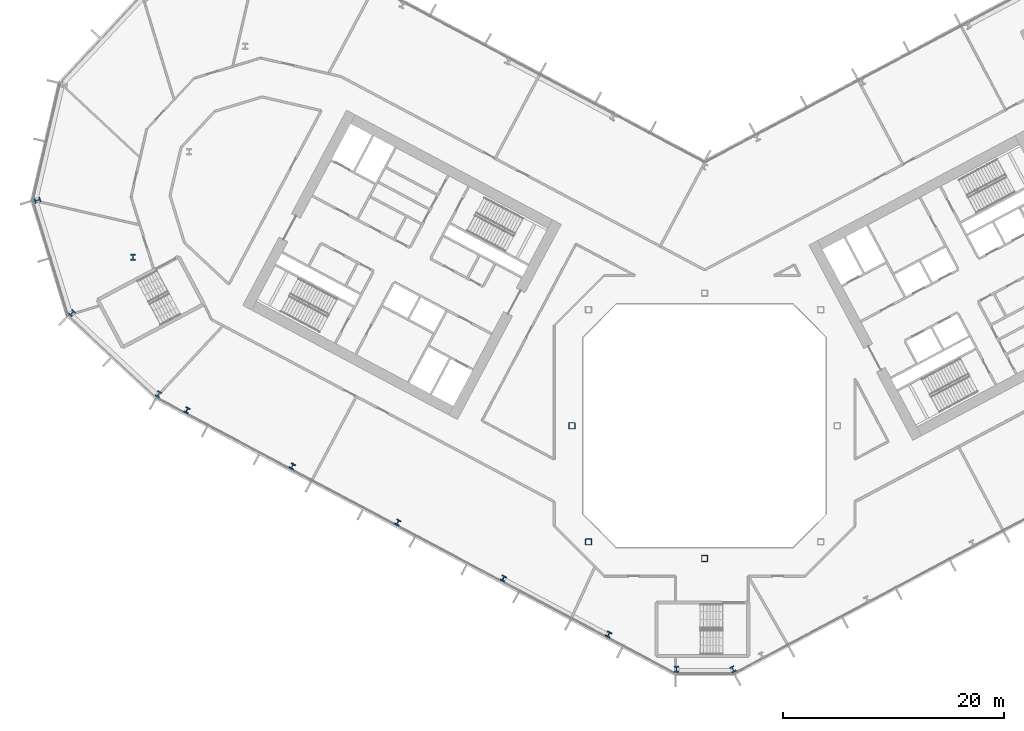
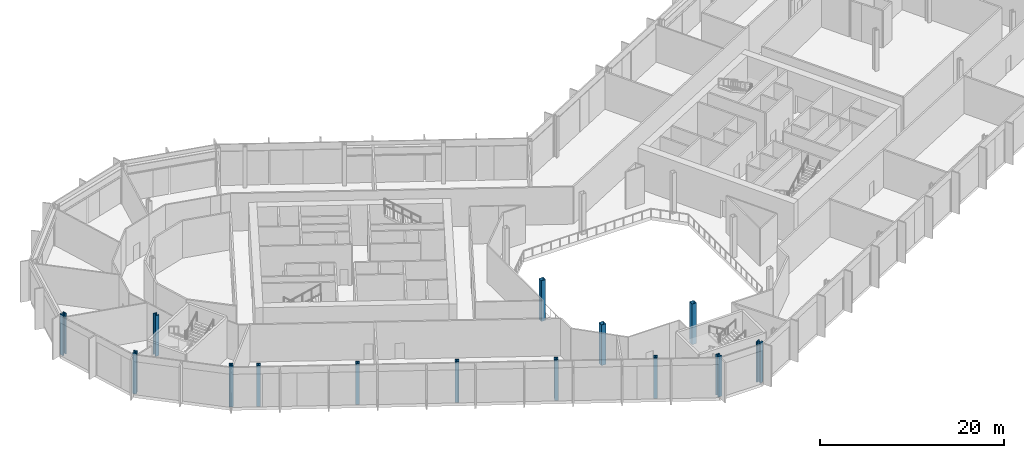
# One storey, part 1 of 30: 14 columns.
"""IFC4 building model written with IfcOpenShell, lengths in metres."""

from ifc_helpers import new_model, si_unit, direction, frame, origin, origin_2d, place, context, subcontext, project, spatial, hollow_rectangle, i_section, extrude, material, material_profile, profile_set, type_object, element, save


model = new_model("IFC4")

# Units and contexts
model_context = context("Model", 3, precision=1e-05, world=origin(), true_north=direction((0.0, 1.0)))
body_context = subcontext(model_context, "Body", "Model", "MODEL_VIEW")
ifc_project = project(units=[si_unit("LENGTHUNIT", "METRE"), si_unit("AREAUNIT", "SQUARE_METRE"), si_unit("VOLUMEUNIT", "CUBIC_METRE"), si_unit("PLANEANGLEUNIT", "RADIAN"), si_unit("MASSUNIT", "GRAM", prefix="KILO")], contexts=[model_context])

# Site, building, storey
site_placement = place(None, origin())
site = spatial("IfcSite", under=ifc_project, at=site_placement, CompositionType="ELEMENT")
building_placement = place(site_placement, origin())
building = spatial("IfcBuilding", under=site, at=building_placement, Name="Cormorant Relay Tower", CompositionType="ELEMENT")
storey_placement = place(building_placement, frame((0.0, 0.0, 44.60009765625)))
storey = spatial("IfcBuildingStorey", under=building, at=storey_placement, Name="L08", CompositionType="ELEMENT", Elevation=44.60009765625)

# Columns
ifc_material_1 = material(Name="Steel ASTM A1085 Grade A (Fy 345 MPa)", Category="steel")
ifc_material_profile_1 = material_profile(ifc_material_1, hollow_rectangle(XDim=0.558837890625, YDim=0.558837890625, WallThickness=0.023681640625, InnerFilletRadius=0.01171875, OuterFilletRadius=0.035400390625, at=origin_2d()), Name="HSS559x559x24")
ifc_profile_set_1 = profile_set([ifc_material_profile_1], Name="Steel ASTM A1085 Grade A (Fy 345 MPa)")
column_type_1 = type_object("IfcColumnType", Name="Column HSS559x559x24", PredefinedType="COLUMN", material=ifc_profile_set_1)
for number, where, z_axis, x_axis, name in (
    (1, (0.0, -12.0, 0.0), (0.0, 0.0, 1.0), (1.0, 0.0, 0.0), "Column L08-007"),
    (2, (-10.5, -10.5, 0.0), (0.0, 0.0, 1.0), (1.0, 0.0, 0.0), "Column L08-009"),
    (3, (-12.0, 0.0, 0.0), (0.0, 0.0, 1.0), (1.0, 0.0, 0.0), "Column L08-015"),
):
    element("IfcColumn", number, at=place(storey_placement, frame(where, z_axis=z_axis, x_axis=x_axis)), inside=storey, type_object=column_type_1, Name=name, PredefinedType="COLUMN", context=body_context, shape_type="SweptSolid", body=[
        extrude(hollow_rectangle(XDim=0.558837890625, YDim=0.558837890625, WallThickness=0.023681640625, InnerFilletRadius=0.01171875, OuterFilletRadius=0.035400390625, at=origin_2d()), origin(), (0.0, 0.0, 1.0), 5.39990234375),
    ])
ifc_material_2 = material(Name="Steel ASTM A992 (Fy 345 MPa)", Category="steel")
ifc_material_profile_2 = material_profile(ifc_material_2, i_section(OverallWidth=0.45458984375, OverallDepth=0.569091796875, WebThickness=0.077880859375, FlangeThickness=0.124755859375, FilletRadius=0.015380859375, at=origin_2d()), Name="W360x1086")
ifc_profile_set_2 = profile_set([ifc_material_profile_2], Name="Steel ASTM A992 (Fy 345 MPa)")
column_type_2 = type_object("IfcColumnType", Name="Column W360x1086", PredefinedType="COLUMN", material=ifc_profile_set_2)
for number, where, z_axis, x_axis, name in (
    (4, (-2.55908203125, -22.01708984375, 0.0), (0.0, 0.0, 1.0), (1.0, 0.0, 0.0), "Column L08-001"),
    (5, (2.55908203125, -22.01708984375, 0.0), (0.0, 0.0, 1.0), (0.882947592859, 0.469471562786, 0.0), "Column L08-002"),
    (6, (-49.39404296875, 2.861083984375, 0.0), (0.0, 0.0, 1.0), (0.882947592859, -0.469471562786, 0.0), "Column L08-018"),
    (7, (-57.218994140625, 10.198974609375, 0.0), (0.0, 0.0, 1.0), (0.731353701619, -0.681998360062, 0.0), "Column L08-021"),
    (8, (-51.68994140625, 15.251953125, 0.0), (0.0, 0.0, 1.0), (1.0, 0.0, 0.0), "Column L08-027"),
    (9, (-60.340087890625, 20.406982421875, 0.0), (0.0, 0.0, 1.0), (0.292371704723, -0.956304755963, 0.0), "Column L08-030"),
):
    element("IfcColumn", number, at=place(storey_placement, frame(where, z_axis=z_axis, x_axis=x_axis)), inside=storey, type_object=column_type_2, Name=name, PredefinedType="COLUMN", context=body_context, shape_type="SweptSolid", body=[
        extrude(i_section(OverallWidth=0.45458984375, OverallDepth=0.569091796875, WebThickness=0.077880859375, FlangeThickness=0.124755859375, FilletRadius=0.015380859375, at=origin_2d()), origin(), (0.0, 0.0, 1.0), 5.39990234375),
    ])
ifc_material_3 = material(Name="Steel ASTM A992 (Fy 345 MPa)", Category="steel")
ifc_material_profile_3 = material_profile(ifc_material_3, i_section(OverallWidth=0.43701171875, OverallDepth=0.51318359375, WebThickness=0.060546875, FlangeThickness=0.096923828125, FilletRadius=0.015380859375, at=origin_2d()), Name="W360x818")
ifc_profile_set_3 = profile_set([ifc_material_profile_3], Name="Steel ASTM A992 (Fy 345 MPa)")
column_type_3 = type_object("IfcColumnType", Name="Column W360x818", PredefinedType="COLUMN", material=ifc_profile_set_3)
for number, where, z_axis, x_axis, name in (
    (10, (-8.677001953125, -18.8759765625, 0.0), (0.0, 0.0, 1.0), (0.882947592859, -0.469471562786, 0.0), "Column L08-004"),
    (11, (-18.212890625, -13.804931640625, 0.0), (0.0, 0.0, 1.0), (0.882947592859, -0.469471562786, 0.0), "Column L08-006"),
    (12, (-27.7490234375, -8.735107421875, 0.0), (0.0, 0.0, 1.0), (0.882947592859, -0.469471562786, 0.0), "Column L08-011"),
    (13, (-37.284912109375, -3.6650390625, 0.0), (0.0, 0.0, 1.0), (0.882947592859, -0.469471562786, 0.0), "Column L08-013"),
    (14, (-46.821044921875, 1.405029296875, 0.0), (0.0, 0.0, 1.0), (0.882947592859, -0.469471562786, 0.0), "Column L08-017"),
):
    element("IfcColumn", number, at=place(storey_placement, frame(where, z_axis=z_axis, x_axis=x_axis)), inside=storey, type_object=column_type_3, Name=name, PredefinedType="COLUMN", context=body_context, shape_type="SweptSolid", body=[
        extrude(i_section(OverallWidth=0.43701171875, OverallDepth=0.51318359375, WebThickness=0.060546875, FlangeThickness=0.096923828125, FilletRadius=0.015380859375, at=origin_2d()), origin(), (0.0, 0.0, 1.0), 5.39990234375),
    ])

save(model, "model.ifc")
